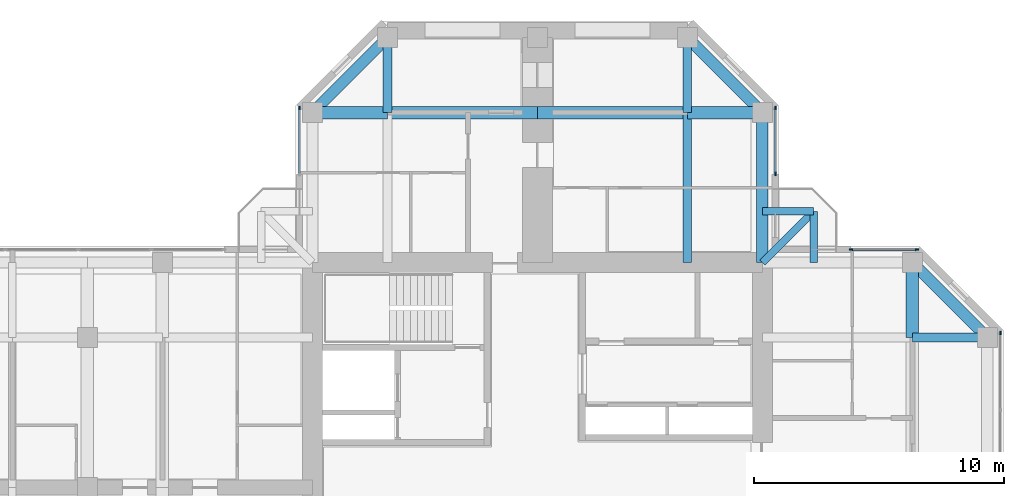
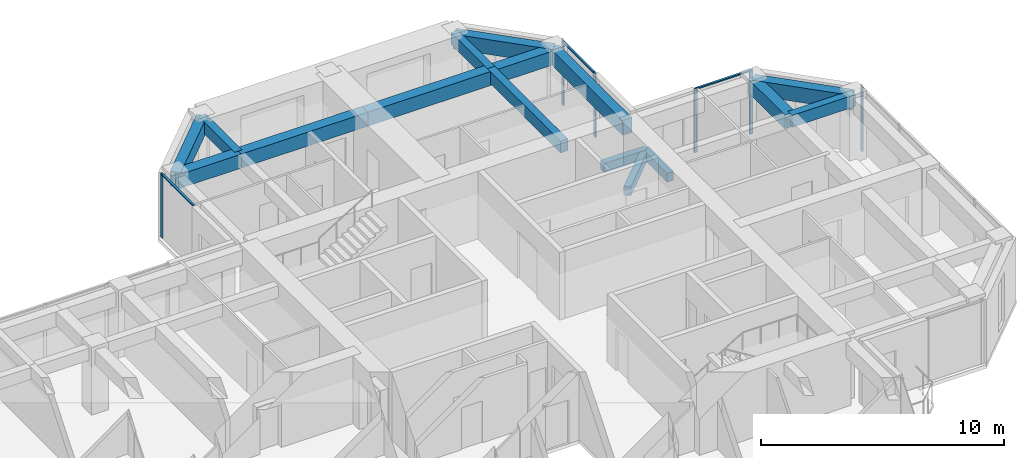
# One storey, part 6 of 13: 16 beams, 9 members, 4 elements without a shape of their own.
"""IFC4 building model written with IfcOpenShell, lengths in metres."""

from ifc_helpers import new_model, si_unit, direction, frame, origin, origin_2d, place, context, subcontext, project, spatial, rectangle, extrude, material, material_profile, profile_set, type_object, element, aggregate, save


model = new_model("IFC4")

# Units and contexts
model_context = context("Model", 3, precision=1e-05, world=origin(), true_north=direction((0.0, 1.0)))
body_context = subcontext(model_context, "Body", "Model", "MODEL_VIEW")
ifc_project = project(units=[si_unit("LENGTHUNIT", "METRE"), si_unit("AREAUNIT", "SQUARE_METRE"), si_unit("VOLUMEUNIT", "CUBIC_METRE"), si_unit("PLANEANGLEUNIT", "RADIAN"), si_unit("MASSUNIT", "GRAM", prefix="KILO")], contexts=[model_context])

# Site, building, storey
site_placement = place(None, origin())
site = spatial("IfcSite", under=ifc_project, at=site_placement, CompositionType="ELEMENT")
building_placement = place(site_placement, origin())
building = spatial("IfcBuilding", under=site, at=building_placement, Name="Torre Cruceta", CompositionType="ELEMENT")
storey_placement = place(building_placement, frame((0.0, 0.0, 232.300048828125)))
storey = spatial("IfcBuildingStorey", under=building, at=storey_placement, Name="L59", CompositionType="ELEMENT", Elevation=232.300048828125)

# Beams
ifc_material_1 = material(Name="Concrete G60 (fck 60 MPa)", Category="concrete")
ifc_material_profile_1 = material_profile(ifc_material_1, rectangle(XDim=0.300048828125, YDim=0.449951171875, at=origin_2d()), Name="RC 300X450")
ifc_profile_set_1 = profile_set([ifc_material_profile_1], Name="Concrete G60 (fck 60 MPa)")
beam_type_1 = type_object("IfcBeamType", Name="BALCONY CANTILEVER BEAM RC 300X450", PredefinedType="BEAM", material=ifc_profile_set_1)
beam_1_placement = place(storey_placement, frame((9.0, 9.0, -0.405029296875), z_axis=(0.707106781187, 0.707106781187, 0.0), x_axis=(-0.707106781187, 0.707106781187, 0.0)))
element("IfcBeam", 1, at=beam_1_placement, inside=storey, type_object=beam_type_1, Name="BB1 balcony beam L59 E", PredefinedType="BEAM", context=body_context, shape_type="SweptSolid", body=[
    extrude(rectangle(XDim=0.300048828125, YDim=0.449951171875, at=origin_2d()), origin(), (0.0, 0.0, 1.0), 2.89990234375),
])
for number, where, z_axis, x_axis, name in (
    (2, (11.050537109375, 9.0, -0.405029296875), (0.0, 1.0, 0.0), (-1.0, 0.0, 0.0), "BB1 balcony edge beam L59 E-X"),
    (3, (9.0, 11.050537109375, -0.405029296875), (1.0, 0.0, 0.0), (0.0, 1.0, 0.0), "BB1 balcony edge beam L59 E-Y"),
):
    element("IfcBeam", number, at=place(storey_placement, frame(where, z_axis=z_axis, x_axis=x_axis)), inside=storey, type_object=beam_type_1, Name=name, PredefinedType="BEAM", context=body_context, shape_type="SweptSolid", body=[
        extrude(rectangle(XDim=0.300048828125, YDim=0.449951171875, at=origin_2d()), origin(), (0.0, 0.0, 1.0), 2.050537109375),
    ])
ifc_material_2 = material(Name="Concrete G60 (fck 60 MPa)", Category="concrete")
ifc_material_profile_2 = material_profile(ifc_material_2, rectangle(XDim=0.35009765625, YDim=0.60009765625, at=origin_2d()), Name="RC 350X600")
ifc_profile_set_2 = profile_set([ifc_material_profile_2], Name="Concrete G60 (fck 60 MPa)")
beam_type_2 = type_object("IfcBeamType", Name="COLUMN LINE BEAM RC 350X600", PredefinedType="BEAM", material=ifc_profile_set_2)
beam_2_placement = place(storey_placement, frame((6.0, 9.0, 2.919921875), z_axis=(0.0, 1.0, 0.0), x_axis=(-1.0, 0.0, 0.0)))
element("IfcBeam", 4, at=beam_2_placement, inside=storey, type_object=beam_type_2, Name="LB9 L59 N col- 1", PredefinedType="BEAM", context=body_context, shape_type="SweptSolid", body=[
    extrude(rectangle(XDim=0.35009765625, YDim=0.60009765625, at=origin_2d()), origin(), (0.0, 0.0, 1.0), 6.0),
])
for number, where, z_axis, x_axis, name in (
    (5, (6.0, 15.0, 2.919921875), (0.0, 1.0, 0.0), (-1.0, 0.0, 0.0), "LB9 L59 N col- 2"),
    (6, (-6.0, 15.0, 2.919921875), (0.0, 1.0, 0.0), (-1.0, 0.0, 0.0), "LB9 L59 N col+ 2"),
    (7, (15.0, 6.0, 2.919921875), (1.0, 0.0, 0.0), (0.0, 1.0, 0.0), "LB9 L59 E col+ 2"),
):
    element("IfcBeam", number, at=place(storey_placement, frame(where, z_axis=z_axis, x_axis=x_axis)), inside=storey, type_object=beam_type_2, Name=name, PredefinedType="BEAM", context=body_context, shape_type="SweptSolid", body=[
        extrude(rectangle(XDim=0.35009765625, YDim=0.60009765625, at=origin_2d()), origin(), (0.0, 0.0, 1.0), 3.0),
    ])
ifc_material_3 = material(Name="Concrete G60 (fck 60 MPa)", Category="concrete")
ifc_material_profile_3 = material_profile(ifc_material_3, rectangle(XDim=0.5, YDim=0.699951171875, at=origin_2d()), Name="RC 500X700")
ifc_profile_set_3 = profile_set([ifc_material_profile_3], Name="Concrete G60 (fck 60 MPa)")
beam_type_3 = type_object("IfcBeamType", Name="CROSS BEAM RC 500X700", PredefinedType="BEAM", material=ifc_profile_set_3)
beam_3_placement = place(storey_placement, frame((9.0, 15.0, 2.869873046875), z_axis=(-1.0, 0.0, 0.0), x_axis=(0.0, -1.0, 0.0)))
element("IfcBeam", 8, at=beam_3_placement, inside=storey, type_object=beam_type_3, Name="GB7 L59 N cross15 1", PredefinedType="BEAM", context=body_context, shape_type="SweptSolid", body=[
    extrude(rectangle(XDim=0.5, YDim=0.699951171875, at=origin_2d()), origin(), (0.0, 0.0, 1.0), 3.0),
])
for number, where, z_axis, x_axis, name in (
    (9, (6.0, 15.0, 2.869873046875), (-1.0, 0.0, 0.0), (0.0, -1.0, 0.0), "GB7 L59 N cross15 2"),
    (10, (0.0, 15.0, 2.869873046875), (-1.0, 0.0, 0.0), (0.0, -1.0, 0.0), "GB7 L59 N cross15 3"),
):
    element("IfcBeam", number, at=place(storey_placement, frame(where, z_axis=z_axis, x_axis=x_axis)), inside=storey, type_object=beam_type_3, Name=name, PredefinedType="BEAM", context=body_context, shape_type="SweptSolid", body=[
        extrude(rectangle(XDim=0.5, YDim=0.699951171875, at=origin_2d()), origin(), (0.0, 0.0, 1.0), 6.0),
    ])
for number, where, z_axis, x_axis, name in (
    (11, (-6.0, 15.0, 2.869873046875), (-1.0, 0.0, 0.0), (0.0, -1.0, 0.0), "GB7 L59 N cross15 4"),
    (12, (15.0, 6.0, 2.869873046875), (0.0, 1.0, 0.0), (-1.0, 0.0, 0.0), "GB7 L59 E cross15 4"),
):
    element("IfcBeam", number, at=place(storey_placement, frame(where, z_axis=z_axis, x_axis=x_axis)), inside=storey, type_object=beam_type_3, Name=name, PredefinedType="BEAM", context=body_context, shape_type="SweptSolid", body=[
        extrude(rectangle(XDim=0.5, YDim=0.699951171875, at=origin_2d()), origin(), (0.0, 0.0, 1.0), 3.0),
    ])

# Curtain wall, member
ifc_material_4 = material(Name="Aluminium unitised curtain wall", Category="aluminium")
curtain_wall_type = type_object("IfcCurtainWallType", Name="CURTAIN WALL CW-D CO-LIVING UPPER", PredefinedType="USERDEFINED", material=ifc_material_4)
curtain_wall_1_placement = place(storey_placement, origin())
curtain_wall_1 = element("IfcCurtainWall", 13, at=curtain_wall_1_placement, inside=storey, type_object=curtain_wall_type, Name="CW-D L59 E tip 02", ObjectType="UNITISED", PredefinedType="USERDEFINED")
ifc_material_5 = material(Name="Aluminium mullion", Category="aluminium")
ifc_material_profile_4 = material_profile(ifc_material_5, rectangle(XDim=0.06005859375, YDim=0.14990234375, at=origin_2d()), Name="AL 60X150")
ifc_profile_set_4 = profile_set([ifc_material_profile_4], Name="Aluminium mullion")
member_type_1 = type_object("IfcMemberType", Name="CW-D MULLION 60X150", PredefinedType="MULLION", material=ifc_profile_set_4)
member_1_placement = place(storey_placement, frame((18.52001953125, 6.185302734375, 0.0), z_axis=(0.0, 0.0, 1.0), x_axis=(-1.0, 0.0, 0.0)))
member_1 = element("IfcMember", 14, at=member_1_placement, type_object=member_type_1, Name="CW-D mullion 5", PredefinedType="MULLION", context=body_context, shape_type="SweptSolid", body=[
    extrude(rectangle(XDim=0.06005859375, YDim=0.14990234375, at=origin_2d()), origin(), (0.0, 0.0, 1.0), 3.219970703125),
])
aggregate(curtain_wall_1, [member_1])

# Curtain wall, members
curtain_wall_2_placement = place(storey_placement, origin())
curtain_wall_2 = element("IfcCurtainWall", 15, at=curtain_wall_2_placement, inside=storey, type_object=curtain_wall_type, Name="CW-D L59 E side 04", ObjectType="UNITISED", PredefinedType="USERDEFINED")
member_2_placement = place(storey_placement, frame((15.185302734375, 9.52001953125, 0.0), z_axis=(0.0, 0.0, 1.0), x_axis=(0.0, -1.0, 0.0)))
member_2 = element("IfcMember", 16, at=member_2_placement, type_object=member_type_1, Name="CW-D mullion 1", PredefinedType="MULLION", context=body_context, shape_type="SweptSolid", body=[
    extrude(rectangle(XDim=0.06005859375, YDim=0.14990234375, at=origin_2d()), origin(), (0.0, 0.0, 1.0), 3.219970703125),
])
member_3_placement = place(storey_placement, frame((12.550048828125, 9.52001953125, 0.0), z_axis=(0.0, 0.0, 1.0), x_axis=(0.0, -1.0, 0.0)))
member_3 = element("IfcMember", 17, at=member_3_placement, type_object=member_type_1, Name="CW-D mullion 2", PredefinedType="MULLION", context=body_context, shape_type="SweptSolid", body=[
    extrude(rectangle(XDim=0.06005859375, YDim=0.14990234375, at=origin_2d()), origin(), (0.0, 0.0, 1.0), 3.219970703125),
])

curtain_wall_3_placement = place(storey_placement, origin())
curtain_wall_3 = element("IfcCurtainWall", 18, at=curtain_wall_3_placement, inside=storey, type_object=curtain_wall_type, Name="CW-D L59 N side 05", ObjectType="UNITISED", PredefinedType="USERDEFINED")
member_4_placement = place(storey_placement, frame((9.52001953125, 12.550048828125, 0.0), z_axis=(0.0, 0.0, 1.0), x_axis=(-1.0, 0.0, 0.0)))
member_4 = element("IfcMember", 19, at=member_4_placement, type_object=member_type_1, Name="CW-D mullion 1", PredefinedType="MULLION", context=body_context, shape_type="SweptSolid", body=[
    extrude(rectangle(XDim=0.06005859375, YDim=0.14990234375, at=origin_2d()), origin(), (0.0, 0.0, 1.0), 3.219970703125),
])
member_5_placement = place(storey_placement, frame((9.52001953125, 15.185302734375, 0.0), z_axis=(0.0, 0.0, 1.0), x_axis=(-1.0, 0.0, 0.0)))
member_5 = element("IfcMember", 20, at=member_5_placement, type_object=member_type_1, Name="CW-D mullion 2", PredefinedType="MULLION", context=body_context, shape_type="SweptSolid", body=[
    extrude(rectangle(XDim=0.06005859375, YDim=0.14990234375, at=origin_2d()), origin(), (0.0, 0.0, 1.0), 3.219970703125),
])

# Curtain wall, member
curtain_wall_4_placement = place(storey_placement, origin())
curtain_wall_4 = element("IfcCurtainWall", 21, at=curtain_wall_4_placement, inside=storey, type_object=curtain_wall_type, Name="CW-D L59 N side 09", ObjectType="UNITISED", PredefinedType="USERDEFINED")
member_6_placement = place(storey_placement, frame((-9.52001953125, 15.185302734375, 0.0), z_axis=(0.0, 0.0, 1.0), x_axis=(1.0, 0.0, 0.0)))
member_6 = element("IfcMember", 22, at=member_6_placement, type_object=member_type_1, Name="CW-D mullion 1", PredefinedType="MULLION", context=body_context, shape_type="SweptSolid", body=[
    extrude(rectangle(XDim=0.06005859375, YDim=0.14990234375, at=origin_2d()), origin(), (0.0, 0.0, 1.0), 3.219970703125),
])

# Member
ifc_material_6 = material(Name="Aluminium transom", Category="aluminium")
ifc_material_profile_5 = material_profile(ifc_material_6, rectangle(XDim=0.10009765625, YDim=0.06005859375, at=origin_2d()), Name="AL 100X60")
ifc_profile_set_5 = profile_set([ifc_material_profile_5], Name="Aluminium transom")
member_type_2 = type_object("IfcMemberType", Name="CW-D TRANSOM 60X100", PredefinedType="USERDEFINED", material=ifc_profile_set_5)
member_7_placement = place(storey_placement, frame((15.1552734375, 9.52001953125, 3.18994140625), z_axis=(-1.0, 0.0, 0.0), x_axis=(0.0, -1.0, 0.0)))
member_7 = element("IfcMember", 23, at=member_7_placement, type_object=member_type_2, Name="CW-D transom 1", ObjectType="TRANSOM", PredefinedType="USERDEFINED", context=body_context, shape_type="SweptSolid", body=[
    extrude(rectangle(XDim=0.10009765625, YDim=0.06005859375, at=origin_2d()), origin(), (0.0, 0.0, 1.0), 2.5751953125),
])

aggregate(curtain_wall_2, [member_2, member_3, member_7])

member_8_placement = place(storey_placement, frame((9.52001953125, 12.580078125, 3.18994140625), z_axis=(0.0, 1.0, 0.0), x_axis=(-1.0, 0.0, 0.0)))
member_8 = element("IfcMember", 24, at=member_8_placement, type_object=member_type_2, Name="CW-D transom 1", ObjectType="TRANSOM", PredefinedType="USERDEFINED", context=body_context, shape_type="SweptSolid", body=[
    extrude(rectangle(XDim=0.10009765625, YDim=0.06005859375, at=origin_2d()), origin(), (0.0, 0.0, 1.0), 2.5751953125),
])

aggregate(curtain_wall_3, [member_4, member_5, member_8])

member_9_placement = place(storey_placement, frame((-9.52001953125, 15.1552734375, 3.18994140625), z_axis=(0.0, -1.0, 0.0), x_axis=(1.0, 0.0, 0.0)))
member_9 = element("IfcMember", 25, at=member_9_placement, type_object=member_type_2, Name="CW-D transom 1", ObjectType="TRANSOM", PredefinedType="USERDEFINED", context=body_context, shape_type="SweptSolid", body=[
    extrude(rectangle(XDim=0.10009765625, YDim=0.06005859375, at=origin_2d()), origin(), (0.0, 0.0, 1.0), 2.5751953125),
])

aggregate(curtain_wall_4, [member_6, member_9])

# Beams
ifc_material_7 = material(Name="Concrete G60 (fck 60 MPa)", Category="concrete")
ifc_material_profile_6 = material_profile(ifc_material_7, rectangle(XDim=0.449951171875, YDim=0.75, at=origin_2d()), Name="RC 450X750")
ifc_profile_set_6 = profile_set([ifc_material_profile_6], Name="Concrete G60 (fck 60 MPa)")
beam_type_4 = type_object("IfcBeamType", Name="SPANDREL BEAM RC 450X750", PredefinedType="SPANDREL", material=ifc_profile_set_6)
beam_4_placement = place(storey_placement, frame((9.0, 9.0, 2.844970703125), z_axis=(0.0, 1.0, 0.0), x_axis=(-1.0, 0.0, 0.0)))
element("IfcBeam", 26, at=beam_4_placement, inside=storey, type_object=beam_type_4, Name="SB7 L59 N side- 1", PredefinedType="SPANDREL", context=body_context, shape_type="SweptSolid", body=[
    extrude(rectangle(XDim=0.449951171875, YDim=0.75, at=origin_2d()), origin(), (0.0, 0.0, 1.0), 6.0),
])
for number, where, z_axis, x_axis, name in (
    (27, (9.0, 15.0, 2.844970703125), (-0.707106781187, 0.707106781187, 0.0), (-0.707106781187, -0.707106781187, 0.0), "SB7 L59 N side- 2"),
    (28, (-9.0, 15.0, 2.844970703125), (0.707106781187, 0.707106781187, 0.0), (-0.707106781187, 0.707106781187, 0.0), "SB7 L59 N side+ 2"),
    (29, (15.0, 9.0, 2.844970703125), (0.707106781187, -0.707106781187, 0.0), (0.707106781187, 0.707106781187, 0.0), "SB7 L59 E side+ 2"),
):
    element("IfcBeam", number, at=place(storey_placement, frame(where, z_axis=z_axis, x_axis=x_axis)), inside=storey, type_object=beam_type_4, Name=name, PredefinedType="SPANDREL", context=body_context, shape_type="SweptSolid", body=[
        extrude(rectangle(XDim=0.449951171875, YDim=0.75, at=origin_2d()), origin(), (0.0, 0.0, 1.0), 4.24267578125),
    ])

save(model, "model.ifc")
